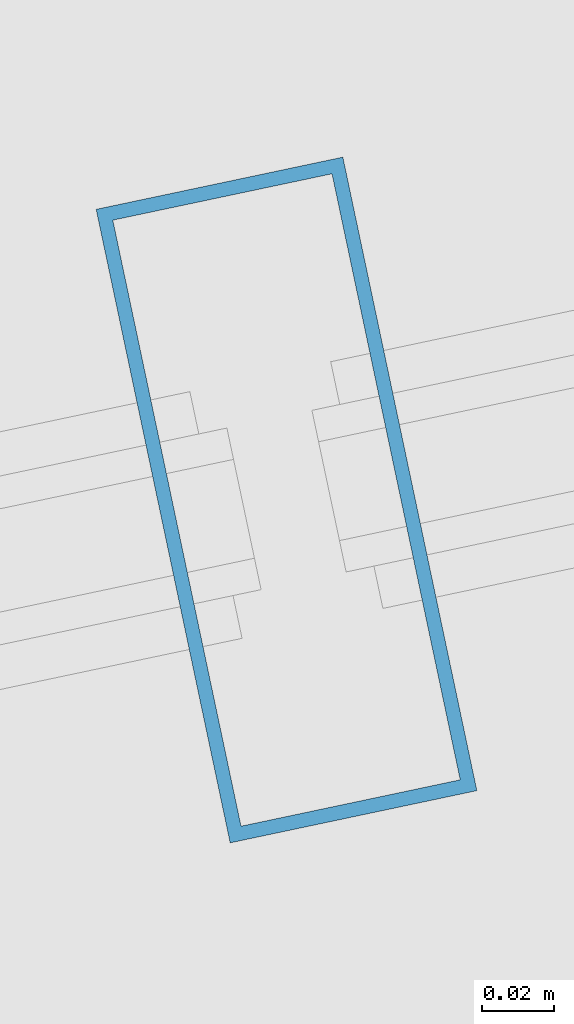
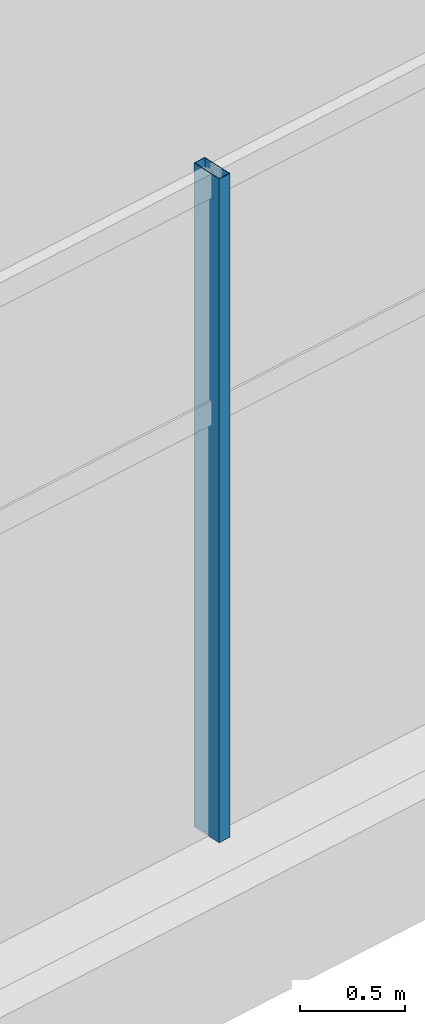
# One storey, part 39 of 156: 1 member, 1 element without a shape of its own.
"""IFC4 building model written with IfcOpenShell, lengths in metres."""

from ifc_helpers import new_model, si_unit, direction, frame, origin, origin_2d, place, context, subcontext, project, spatial, hollow_rectangle, extrude, material, layer, layer_set, material_profile, profile_set, type_object, element, aggregate, save


model = new_model("IFC4")

# Units and contexts
model_context = context("Model", 3, precision=1e-05, world=origin(), true_north=direction((0.0, 1.0)))
body_context = subcontext(model_context, "Body", "Model", "MODEL_VIEW")
ifc_project = project(units=[si_unit("LENGTHUNIT", "METRE"), si_unit("AREAUNIT", "SQUARE_METRE"), si_unit("VOLUMEUNIT", "CUBIC_METRE"), si_unit("PLANEANGLEUNIT", "RADIAN"), si_unit("MASSUNIT", "GRAM", prefix="KILO")], contexts=[model_context])

# Site, building, storey
site_placement = place(None, origin())
site = spatial("IfcSite", under=ifc_project, at=site_placement, CompositionType="ELEMENT")
building_placement = place(site_placement, origin())
building = spatial("IfcBuilding", under=site, at=building_placement, Name="Kazemori Nagisa Stadium", CompositionType="ELEMENT")
storey_placement = place(building_placement, frame((0.0, 0.0, 5.780029296875)))
storey = spatial("IfcBuildingStorey", under=building, at=storey_placement, Name="L01", CompositionType="ELEMENT", Elevation=5.780029296875)

# Curtain wall, member
ifc_material_1 = material(Name="Anodised aluminium 6063-T5", Category="aluminium")
ifc_layer = layer(ifc_material_1, 0.179931640625, Name="Anodised aluminium 6063-T5", Category="aluminium")
ifc_layer_set = layer_set([ifc_layer], Name="Anodised aluminium 6063-T5")
curtain_wall_type = type_object("IfcCurtainWallType", Name="CW_L01R3_105", PredefinedType="USERDEFINED", material=ifc_layer_set)
curtain_wall_placement = place(storey_placement, origin())
curtain_wall = element("IfcCurtainWall", 1, at=curtain_wall_placement, inside=storey, type_object=curtain_wall_type, Name="Unitised curtain wall CW-L01R3-105 L01", ObjectType="UNITISED CURTAIN WALL", PredefinedType="USERDEFINED")
ifc_material_2 = material(Name="Aluminium 6063-T5 anodised", Category="aluminium")
ifc_material_profile = material_profile(ifc_material_2, hollow_rectangle(XDim=0.070068359375, YDim=0.179931640625, WallThickness=0.00390625, at=origin_2d()), Name="ALU-MULL-70x180x4")
ifc_profile_set = profile_set([ifc_material_profile], Name="Aluminium 6063-T5 anodised")
member_type = type_object("IfcMemberType", Name="Mullion_M01", PredefinedType="MULLION", material=ifc_profile_set)
member_placement = place(storey_placement, frame((151.708251953125, 18.553466796875, 0.0), z_axis=(0.0, 0.0, 1.0), x_axis=(0.978344955407, 0.206981033502, 0.0)))
member = element("IfcMember", 2, at=member_placement, type_object=member_type, Name="Curtain wall mullion CW-L01R3-105-M2", PredefinedType="MULLION", context=body_context, shape_type="SweptSolid", body=[
    extrude(hollow_rectangle(XDim=0.070068359375, YDim=0.179931640625, WallThickness=0.00390625, at=origin_2d()), origin(), (0.0, 0.0, 1.0), 3.849853515625),
])
aggregate(curtain_wall, [member])

save(model, "model.ifc")
